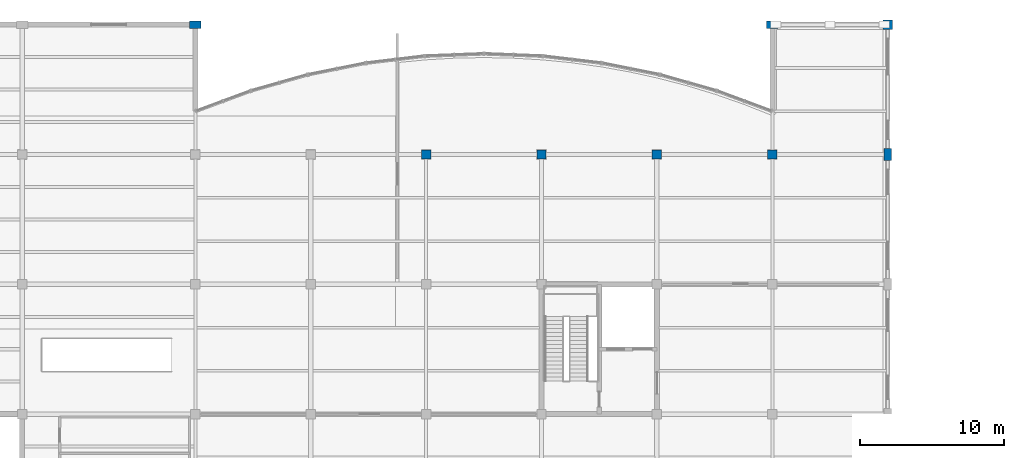
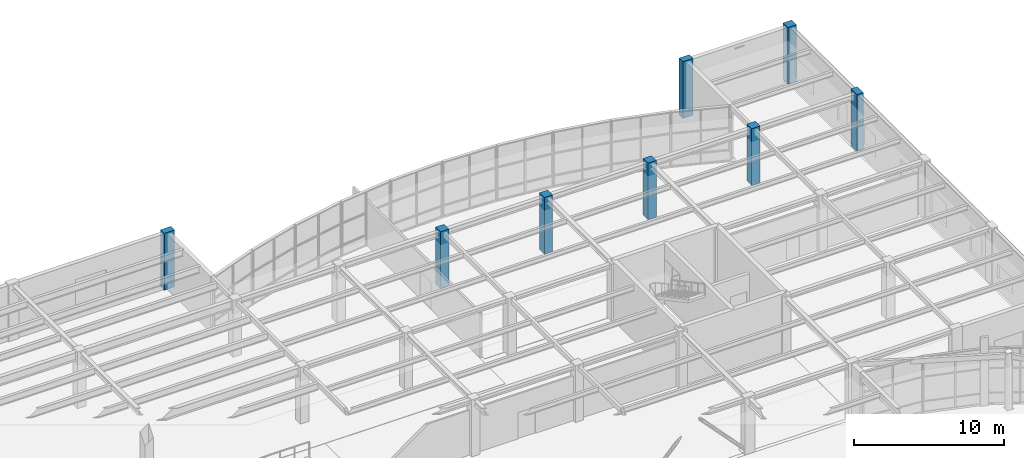
# One storey, part 9 of 63: 8 columns.
"""IFC4 building model written with IfcOpenShell, lengths in metres."""

import ifcopenshell
import ifcopenshell.guid

model = None  # the IFC model being written
_history = None  # IfcOwnerHistory: only IFC2X3 demands one
_inside = {}  # id of a spatial element -> (the spatial element, [elements in it])
_under = {}  # id of a project, library or spatial element -> (it, [spatial elements below it])
_declared = {}  # id of a project -> (the project, [libraries it declares])
_typed = {}  # id of a type object -> (the type object, [elements of that type])
_made_of = {}  # id of a material, layer set ... -> (it, [elements and type objects made of it])


def new_model(schema):
    """Start an empty IFC model of exactly this schema.

    Asked for "IFC4X3", IfcOpenShell would pick the latest addendum, in which some entities
    have other attributes; the version numbers below select the first issue.
    IFC2X3 requires an IfcOwnerHistory on every rooted entity: one is made here for all.
    """
    global model, _history
    if schema == "IFC4X3":
        model = ifcopenshell.file(schema_version=(4, 3, 0, 0))
    else:
        model = ifcopenshell.file(schema=schema)
    _inside.clear()
    _under.clear()
    _declared.clear()
    _typed.clear()
    _made_of.clear()
    _history = None
    if model.schema == "IFC2X3":
        org = make("IfcOrganization", Name="unknown")
        user = make(
            "IfcPersonAndOrganization",
            ThePerson=make("IfcPerson", FamilyName="unknown"),
            TheOrganization=org,
        )
        app = make(
            "IfcApplication",
            ApplicationDeveloper=org,
            Version="unknown",
            ApplicationFullName="unknown",
            ApplicationIdentifier="unknown",
        )
        _history = make(
            "IfcOwnerHistory",
            OwningUser=user,
            OwningApplication=app,
            ChangeAction="ADDED",
            CreationDate=0,
        )
    return model


def make(cls, **values):
    """One entity of the class cls with the attributes given. An attribute that is None is left unset."""
    return model.create_entity(
        cls, **{name: value for name, value in values.items() if value is not None}
    )


def rooted(cls, **values):
    """An entity with a GlobalId (a new one), such as an element, a storey or a relation."""
    return make(cls, GlobalId=ifcopenshell.guid.new(), OwnerHistory=_history, **values)


def si_unit(unit_type, name, prefix=None):
    """IfcSIUnit, for example si_unit("LENGTHUNIT", "METRE", prefix="MILLI")."""
    return make("IfcSIUnit", UnitType=unit_type, Prefix=prefix, Name=name)


def assignment(units):
    """IfcUnitAssignment: the units of a project."""
    return None if units is None else make("IfcUnitAssignment", Units=units)


def point(xyz):
    """IfcCartesianPoint."""
    return None if xyz is None else make("IfcCartesianPoint", Coordinates=xyz)


def direction(xyz):
    """IfcDirection."""
    return None if xyz is None else make("IfcDirection", DirectionRatios=xyz)


def frame(location, z_axis=None, x_axis=None):
    """IfcAxis2Placement3D, a coordinate frame: its origin and axes. An axis left out is left unset."""
    return make(
        "IfcAxis2Placement3D",
        Location=point(location),
        Axis=direction(z_axis),
        RefDirection=direction(x_axis),
    )


def frame_2d(location, x_axis=None):
    """IfcAxis2Placement2D, a coordinate frame in the plane: its origin and x axis."""
    return make(
        "IfcAxis2Placement2D", Location=point(location), RefDirection=direction(x_axis)
    )


def origin():
    """The frame at (0, 0, 0) with its axes left unset."""
    return frame((0.0, 0.0, 0.0))


def origin_2d():
    """The frame at (0, 0) in the plane with its x axis left unset."""
    return frame_2d((0.0, 0.0))


def place(relative_to, where):
    """IfcLocalPlacement: puts the frame where relative to a parent placement (None: the world)."""
    return make(
        "IfcLocalPlacement", PlacementRelTo=relative_to, RelativePlacement=where
    )


def context(
    kind, dimensions, precision=None, world=None, true_north=None, identifier=None
):
    """IfcGeometricRepresentationContext, for example the 3D "Model" context."""
    return make(
        "IfcGeometricRepresentationContext",
        ContextIdentifier=identifier,
        ContextType=kind,
        CoordinateSpaceDimension=dimensions,
        Precision=precision,
        WorldCoordinateSystem=world,
        TrueNorth=true_north,
    )


def subcontext(parent, identifier, kind, view, scale=None):
    """IfcGeometricRepresentationSubContext, for example "Body" below "Model"."""
    return make(
        "IfcGeometricRepresentationSubContext",
        ContextIdentifier=identifier,
        ContextType=kind,
        ParentContext=parent,
        TargetScale=scale,
        TargetView=view,
    )


def project(units=None, contexts=None):
    """IfcProject with its units and contexts."""
    return rooted(
        "IfcProject",
        Name="project",
        RepresentationContexts=contexts,
        UnitsInContext=assignment(units),
    )


def spatial(cls, under=None, at=None, **own):
    """A site, building, storey or space (cls), placed at a placement, below another one or the project."""
    s = rooted(cls, ObjectPlacement=at, **own)
    if under is not None:
        _under.setdefault(under.id(), (under, []))[1].append(s)
    return s


def profile(cls, at=None, kind="AREA", **sizes):
    """A parametric profile (cls). Its sizes go by their IFC names, for example OverallWidth=200.0."""
    return make(cls, ProfileType=kind, Position=at, **sizes)


def rectangle(**sizes):
    """IfcRectangleProfileDef."""
    return profile("IfcRectangleProfileDef", **sizes)


def extrude(swept, where, along, depth):
    """IfcExtrudedAreaSolid: the profile swept, set in the frame where, extruded along a direction by depth."""
    return make(
        "IfcExtrudedAreaSolid",
        SweptArea=swept,
        Position=where,
        ExtrudedDirection=direction(along),
        Depth=depth,
    )


def shape(context_of_items, identifier, shape_type, items):
    """IfcShapeRepresentation: the items that make up one representation, for example the "Body"."""
    return make(
        "IfcShapeRepresentation",
        ContextOfItems=context_of_items,
        RepresentationIdentifier=identifier,
        RepresentationType=shape_type,
        Items=items,
    )


def material(Name=None, Category=None):
    """IfcMaterial."""
    return make("IfcMaterial", Name=Name, Category=Category)


def material_profile(
    of_material, cross_section, Name=None, Category=None, Priority=None
):
    """IfcMaterialProfile: a cross section and its material."""
    return make(
        "IfcMaterialProfile",
        Name=Name,
        Material=of_material,
        Profile=cross_section,
        Priority=Priority,
        Category=Category,
    )


def profile_set(profiles, Name=None, composite=None):
    """IfcMaterialProfileSet."""
    return make(
        "IfcMaterialProfileSet",
        Name=Name,
        MaterialProfiles=profiles,
        CompositeProfile=composite,
    )


def made_of(thing, what):
    """Note that an element or type object is made of a material, layer set ...; save() writes the relation."""
    if what is not None:
        _made_of.setdefault(what.id(), (what, []))[1].append(thing)
    return thing


def type_object(cls, material=None, **own):
    """A type object (cls), such as IfcWallType, which elements share."""
    return made_of(rooted(cls, **own), material)


def element(
    cls,
    number,
    at=None,
    inside=None,
    cuts=None,
    type_object=None,
    material=None,
    context=None,
    identifier="Body",
    shape_type=None,
    held_by="IfcProductDefinitionShape",
    body=None,
    shapes=None,
    **own,
):
    """One element of the class cls, such as IfcWall. Its Tag is "e" and its number.

    at: its placement. inside: the storey or other place that contains it. cuts: it is an
    opening in that element (IfcRelVoidsElement). A single representation is given by context,
    identifier, shape_type and body (its items); several are given by shapes. held_by: the class
    of the entity that holds the representations. save() writes the other relations.
    """
    e = rooted(cls, Tag="e%d" % number, ObjectPlacement=at, **own)
    if body is not None:
        shapes = [shape(context, identifier, shape_type, body)]
    if shapes is not None:
        e.Representation = make(held_by, Representations=shapes)
    if inside is not None:
        _inside.setdefault(inside.id(), (inside, []))[1].append(e)
    if cuts is not None:
        rooted(
            "IfcRelVoidsElement", RelatingBuildingElement=cuts, RelatedOpeningElement=e
        )
    if type_object is not None:
        _typed.setdefault(type_object.id(), (type_object, []))[1].append(e)
    return made_of(e, material)


def aggregate(whole, parts):
    """IfcRelAggregates: a whole, such as a stair, and the parts it consists of."""
    return rooted("IfcRelAggregates", RelatingObject=whole, RelatedObjects=parts)


def save(model, path):
    """Write the relations noted so far, then the file.

    IfcRelAggregates (storeys below a building ...), IfcRelContainedInSpatialStructure (elements
    in a storey), IfcRelDefinesByType, IfcRelAssociatesMaterial and IfcRelDeclares: one each for
    every whole, place, type object, material and project.
    """
    for whole, parts in _under.values():
        aggregate(whole, parts)
    for where, things in _inside.values():
        rooted(
            "IfcRelContainedInSpatialStructure",
            RelatedElements=things,
            RelatingStructure=where,
        )
    for kind, things in _typed.values():
        rooted("IfcRelDefinesByType", RelatedObjects=things, RelatingType=kind)
    for what, things in _made_of.values():
        rooted("IfcRelAssociatesMaterial", RelatedObjects=things, RelatingMaterial=what)
    for by, libraries in _declared.values():
        rooted("IfcRelDeclares", RelatingContext=by, RelatedDefinitions=libraries)
    model.write(path)


model = new_model("IFC4")

# Units and contexts
model_context = context("Model", 3, precision=1e-05, world=origin(), true_north=direction((0.0, 1.0)))
body_context = subcontext(model_context, "Body", "Model", "MODEL_VIEW")
ifc_project = project(units=[si_unit("LENGTHUNIT", "METRE"), si_unit("AREAUNIT", "SQUARE_METRE"), si_unit("VOLUMEUNIT", "CUBIC_METRE"), si_unit("PLANEANGLEUNIT", "RADIAN"), si_unit("MASSUNIT", "GRAM", prefix="KILO")], contexts=[model_context])

# Site, building, storey
site_placement = place(None, origin())
site = spatial("IfcSite", under=ifc_project, at=site_placement, CompositionType="ELEMENT")
building_placement = place(site_placement, origin())
building = spatial("IfcBuilding", under=site, at=building_placement, Name="Keelwater Ferry Terminal", CompositionType="ELEMENT")
storey_placement = place(building_placement, frame((0.0, 0.0, 10.199951171875)))
storey = spatial("IfcBuildingStorey", under=building, at=storey_placement, Name="L02", CompositionType="ELEMENT", Elevation=10.199951171875)

# Columns
ifc_material_1 = material(Name="Concrete C45/55", Category="concrete")
ifc_material_profile_1 = material_profile(ifc_material_1, rectangle(XDim=0.64990234375, YDim=0.64990234375, at=origin_2d()), Name="RC 650x650")
ifc_profile_set_1 = profile_set([ifc_material_profile_1], Name="Concrete C45/55")
column_type_1 = type_object("IfcColumnType", Name="C3 RC 650x650", PredefinedType="COLUMN", material=ifc_profile_set_1)
for number, where, z_axis, x_axis, name in (
    (1, (148.0, 117.0, 0.0), (0.0, 0.0, 1.0), (1.0, 0.0, 0.0), "Column CL-L02-0373"),
    (2, (156.0, 117.0, 0.0), (0.0, 0.0, 1.0), (1.0, 0.0, 0.0), "Column CL-L02-0412"),
    (3, (164.0, 117.0, 0.0), (0.0, 0.0, 1.0), (1.0, 0.0, 0.0), "Column CL-L02-0451"),
    (4, (172.0, 117.0, 0.0), (0.0, 0.0, 1.0), (1.0, 0.0, 0.0), "Column CL-L02-0484"),
):
    element("IfcColumn", number, at=place(storey_placement, frame(where, z_axis=z_axis, x_axis=x_axis)), inside=storey, type_object=column_type_1, Name=name, PredefinedType="COLUMN", context=body_context, shape_type="SweptSolid", body=[
        extrude(rectangle(XDim=0.64990234375, YDim=0.64990234375, at=origin_2d()), origin(), (0.0, 0.0, 1.0), 4.64013671875),
    ])
ifc_material_2 = material(Name="Concrete C45/55", Category="concrete")
ifc_material_profile_2 = material_profile(ifc_material_2, rectangle(XDim=0.64990234375, YDim=0.64990234375, at=origin_2d()), Name="RC 650x650")
ifc_profile_set_2 = profile_set([ifc_material_profile_2], Name="Concrete C45/55")
column_type_2 = type_object("IfcColumnType", Name="C3E RC 650x650", PredefinedType="COLUMN", material=ifc_profile_set_2)
column_placement = place(storey_placement, frame((180.0, 126.0, 0.0), z_axis=(0.0, 0.0, 1.0), x_axis=(1.0, 0.0, 0.0)))
element("IfcColumn", 5, at=column_placement, inside=storey, type_object=column_type_2, Name="Column CL-L02-0524", PredefinedType="COLUMN", context=body_context, shape_type="SweptSolid", body=[
    extrude(rectangle(XDim=0.64990234375, YDim=0.64990234375, at=origin_2d()), origin(), (0.0, 0.0, 1.0), 4.64013671875),
])
ifc_material_3 = material(Name="Concrete C45/55", Category="concrete")
ifc_material_profile_3 = material_profile(ifc_material_3, rectangle(XDim=0.5, YDim=0.800048828125, at=origin_2d()), Name="RC 800x500")
ifc_profile_set_3 = profile_set([ifc_material_profile_3], Name="Concrete C45/55")
column_type_3 = type_object("IfcColumnType", Name="PL2E RC 800x500", PredefinedType="PILASTER", material=ifc_profile_set_3)
for number, where, z_axis, x_axis, name in (
    (6, (132.0, 126.0, 0.0), (0.0, 0.0, 1.0), (0.0, 1.0, 0.0), "Column CL-L02-0280"),
    (7, (172.0, 126.0, 0.0), (0.0, 0.0, 1.0), (0.0, 1.0, 0.0), "Column CL-L02-0490"),
    (8, (180.0, 117.0, 0.0), (0.0, 0.0, 1.0), (1.0, 0.0, 0.0), "Column CL-L02-0519"),
):
    element("IfcColumn", number, at=place(storey_placement, frame(where, z_axis=z_axis, x_axis=x_axis)), inside=storey, type_object=column_type_3, Name=name, PredefinedType="PILASTER", context=body_context, shape_type="SweptSolid", body=[
        extrude(rectangle(XDim=0.5, YDim=0.800048828125, at=origin_2d()), origin(), (0.0, 0.0, 1.0), 4.64013671875),
    ])

save(model, "model.ifc")
